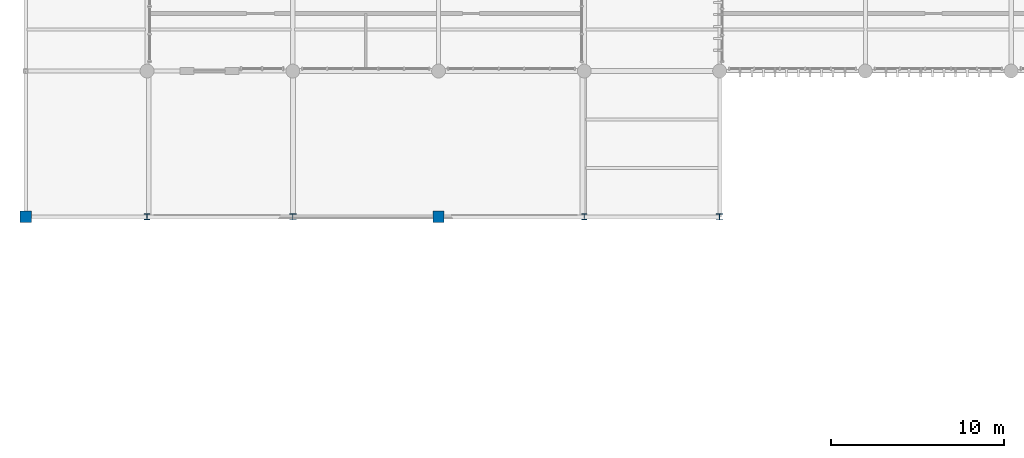
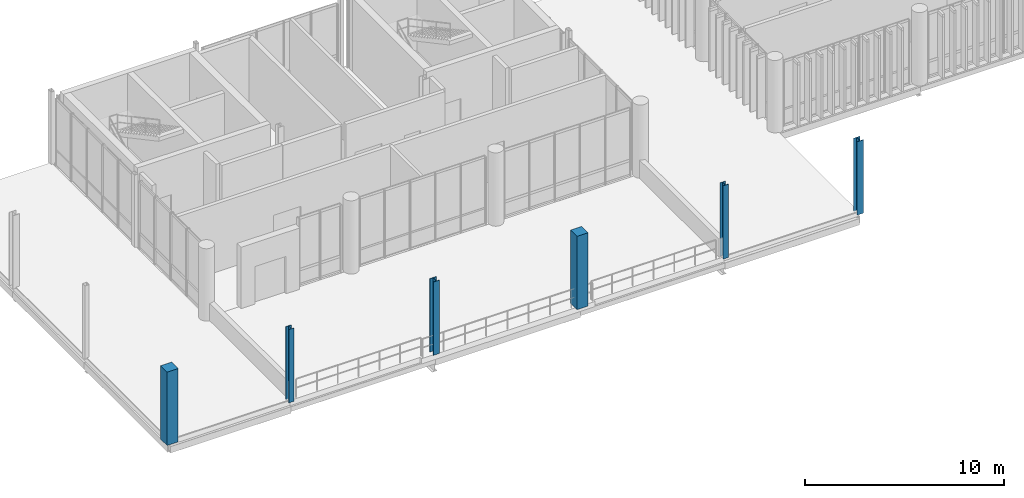
# One storey, part 1 of 68: 6 columns.
"""IFC4 building model written with IfcOpenShell, lengths in metres."""

from ifc_helpers import new_model, si_unit, direction, frame, origin_with_axes, origin_2d_with_axis, place, context, subcontext, project, spatial, rectangle, i_section, extrude, material, material_profile, profile_set, type_object, element, save


model = new_model("IFC4")

# Units and contexts
model_context = context("Model", 3, precision=1e-05, world=origin_with_axes(), true_north=direction((0.0, 1.0)))
body_context = subcontext(model_context, "Body", "Model", "MODEL_VIEW")
ifc_project = project(units=[si_unit("LENGTHUNIT", "METRE"), si_unit("AREAUNIT", "SQUARE_METRE"), si_unit("VOLUMEUNIT", "CUBIC_METRE"), si_unit("PLANEANGLEUNIT", "RADIAN"), si_unit("MASSUNIT", "GRAM", prefix="KILO"), si_unit("THERMODYNAMICTEMPERATUREUNIT", "KELVIN")], contexts=[model_context])

# Site, building, storey
site_placement = place(None, origin_with_axes())
site = spatial("IfcSite", under=ifc_project, at=site_placement, CompositionType="ELEMENT")
building_placement = place(site_placement, origin_with_axes())
building = spatial("IfcBuilding", under=site, at=building_placement, Name="Montbau Bow Law Courts", CompositionType="ELEMENT")
storey_placement = place(building_placement, frame((0.0, 0.0, 20.4), z_axis=(0.0, 0.0, 1.0), x_axis=(1.0, 0.0, 0.0)))
storey = spatial("IfcBuildingStorey", under=building, at=storey_placement, Name="L04", CompositionType="ELEMENT", Elevation=20.4)

# Columns
ifc_material_1 = material(Name="Concrete CSA A23.1 f'c 40 MPa", Category="concrete")
ifc_material_profile_1 = material_profile(ifc_material_1, rectangle(XDim=0.65, YDim=0.65, at=origin_2d_with_axis()), Name="RC650X650", Category="Main", Priority=0)
ifc_profile_set_1 = profile_set([ifc_material_profile_1], Name="Concrete CSA A23.1 f'c 40 MPa")
column_type_1 = type_object("IfcColumnType", Name="C-RC-05", PredefinedType="COLUMN", material=ifc_profile_set_1)
for number, where, z_axis, x_axis, name in (
    (1, (6.8, 30.6, 20.4), (0.0, 0.0, 1.0), (1.0, 0.0, 0.0), "C-L04-S0766:col2_0766"),
    (2, (30.6, 30.6, 20.4), (0.0, 0.0, 1.0), (1.0, 0.0, 0.0), "C-L04-S0778:col2_0778"),
):
    element("IfcColumn", number, at=place(None, frame(where, z_axis=z_axis, x_axis=x_axis)), inside=storey, type_object=column_type_1, Name=name, PredefinedType="COLUMN", context=body_context, shape_type="SweptSolid", body=[
        extrude(rectangle(XDim=0.65, YDim=0.65, at=origin_2d_with_axis()), origin_with_axes(), (0.0, 0.0, 1.0), 4.5),
    ])
ifc_material_2 = material(Name="Steel CSA G40.21 Grade 350W (350 MPa)", Category="steel")
ifc_material_profile_2 = material_profile(ifc_material_2, i_section(OverallWidth=0.373, OverallDepth=0.368, WebThickness=0.015, FlangeThickness=0.0239, at=origin_2d_with_axis()), Name="W360X179", Category="Main", Priority=0)
ifc_profile_set_2 = profile_set([ifc_material_profile_2], Name="Steel CSA G40.21 Grade 350W (350 MPa)")
column_type_2 = type_object("IfcColumnType", Name="C-STL-04", PredefinedType="COLUMN", material=ifc_profile_set_2)
for number, where, z_axis, x_axis, name in (
    (3, (22.2, 30.6, 20.4), (0.0, 0.0, 1.0), (1.0, 0.0, 0.0), "C-L04-S0774:col2_0774"),
    (4, (46.8, 30.6, 20.4), (0.0, 0.0, 1.0), (1.0, 0.0, 0.0), "C-L04-S0786:col2_0786"),
):
    element("IfcColumn", number, at=place(None, frame(where, z_axis=z_axis, x_axis=x_axis)), inside=storey, type_object=column_type_2, Name=name, PredefinedType="COLUMN", context=body_context, shape_type="SweptSolid", body=[
        extrude(i_section(OverallWidth=0.373, OverallDepth=0.368, WebThickness=0.015, FlangeThickness=0.0239, at=origin_2d_with_axis()), origin_with_axes(), (0.0, 0.0, 1.0), 4.5),
    ])
ifc_material_profile_3 = material_profile(ifc_material_2, i_section(OverallWidth=0.309, OverallDepth=0.323, WebThickness=0.014, FlangeThickness=0.0229, at=origin_2d_with_axis()), Name="W310X143", Category="Main", Priority=0)
ifc_profile_set_3 = profile_set([ifc_material_profile_3], Name="Steel CSA G40.21 Grade 350W (350 MPa)")
column_type_3 = type_object("IfcColumnType", Name="C-STL-06", PredefinedType="COLUMN", material=ifc_profile_set_3)
for number, where, z_axis, x_axis, name in (
    (5, (13.8, 30.6, 20.4), (0.0, 0.0, 1.0), (1.0, 0.0, 0.0), "C-L04-S0770:col2_0770"),
    (6, (39.0, 30.6, 20.4), (0.0, 0.0, 1.0), (1.0, 0.0, 0.0), "C-L04-S0782:col2_0782"),
):
    element("IfcColumn", number, at=place(None, frame(where, z_axis=z_axis, x_axis=x_axis)), inside=storey, type_object=column_type_3, Name=name, PredefinedType="COLUMN", context=body_context, shape_type="SweptSolid", body=[
        extrude(i_section(OverallWidth=0.309, OverallDepth=0.323, WebThickness=0.014, FlangeThickness=0.0229, at=origin_2d_with_axis()), origin_with_axes(), (0.0, 0.0, 1.0), 4.5),
    ])

save(model, "model.ifc")
